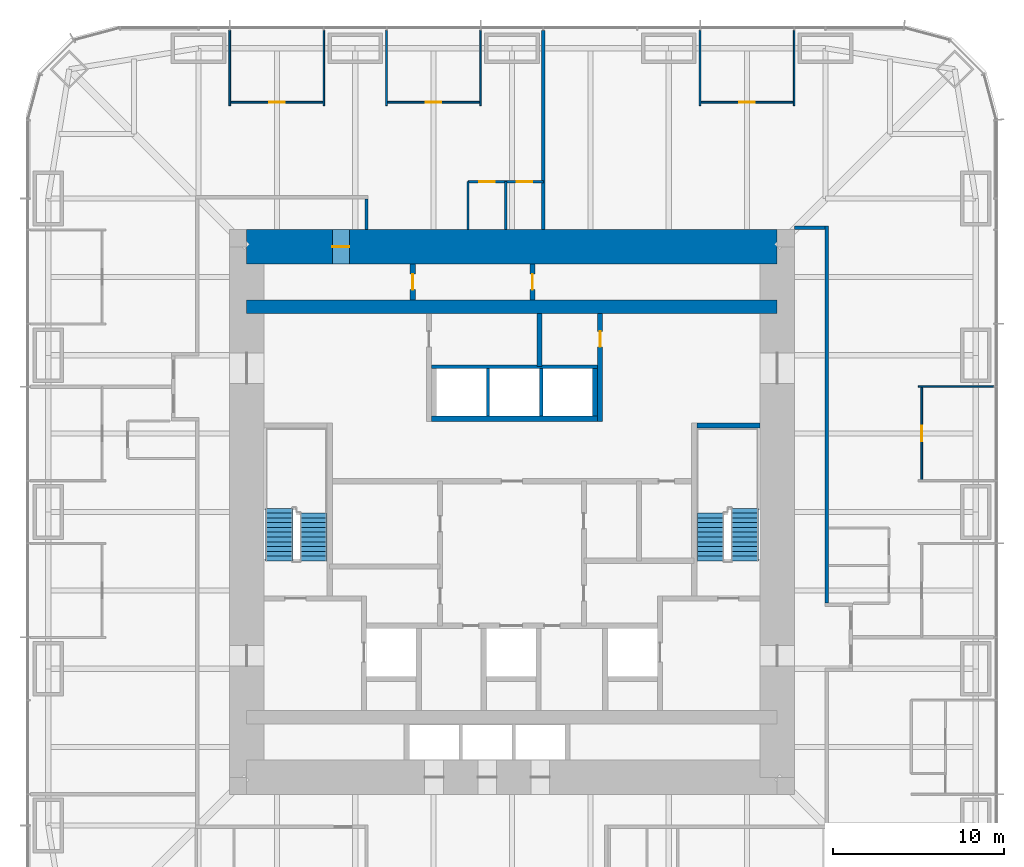
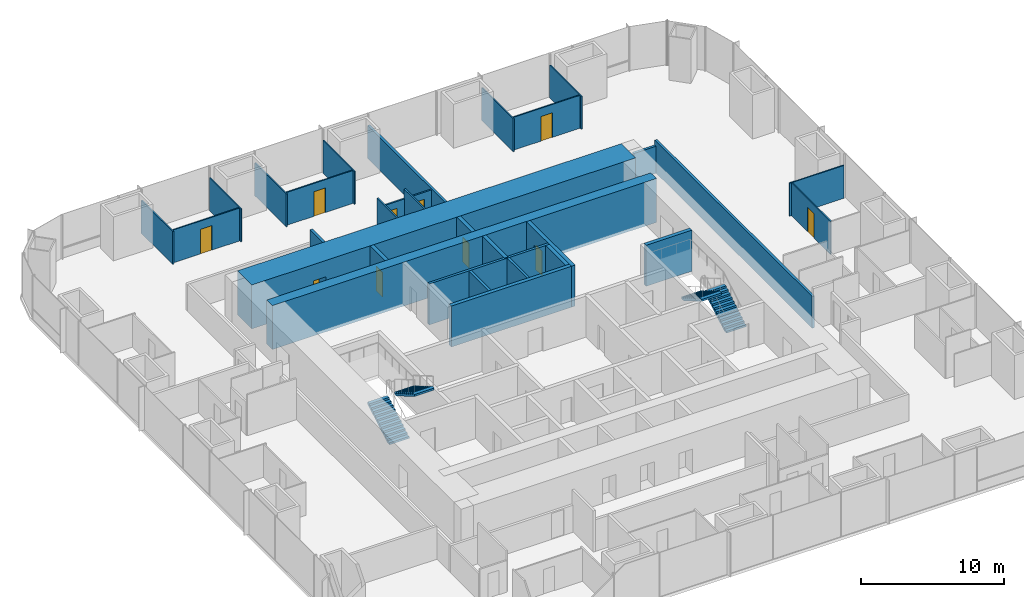
# One storey, part 10 of 11: 30 walls, 10 doors, 4 stair flights, 10 openings, 2 elements without a shape of their own.
"""IFC4 building model written with IfcOpenShell, lengths in metres."""

import ifcopenshell
import ifcopenshell.guid

model = None  # the IFC model being written
_history = None  # IfcOwnerHistory: only IFC2X3 demands one
_inside = {}  # id of a spatial element -> (the spatial element, [elements in it])
_under = {}  # id of a project, library or spatial element -> (it, [spatial elements below it])
_declared = {}  # id of a project -> (the project, [libraries it declares])
_typed = {}  # id of a type object -> (the type object, [elements of that type])
_made_of = {}  # id of a material, layer set ... -> (it, [elements and type objects made of it])


def new_model(schema):
    """Start an empty IFC model of exactly this schema.

    Asked for "IFC4X3", IfcOpenShell would pick the latest addendum, in which some entities
    have other attributes; the version numbers below select the first issue.
    IFC2X3 requires an IfcOwnerHistory on every rooted entity: one is made here for all.
    """
    global model, _history
    if schema == "IFC4X3":
        model = ifcopenshell.file(schema_version=(4, 3, 0, 0))
    else:
        model = ifcopenshell.file(schema=schema)
    _inside.clear()
    _under.clear()
    _declared.clear()
    _typed.clear()
    _made_of.clear()
    _history = None
    if model.schema == "IFC2X3":
        org = make("IfcOrganization", Name="unknown")
        user = make(
            "IfcPersonAndOrganization",
            ThePerson=make("IfcPerson", FamilyName="unknown"),
            TheOrganization=org,
        )
        app = make(
            "IfcApplication",
            ApplicationDeveloper=org,
            Version="unknown",
            ApplicationFullName="unknown",
            ApplicationIdentifier="unknown",
        )
        _history = make(
            "IfcOwnerHistory",
            OwningUser=user,
            OwningApplication=app,
            ChangeAction="ADDED",
            CreationDate=0,
        )
    return model


def make(cls, **values):
    """One entity of the class cls with the attributes given. An attribute that is None is left unset."""
    return model.create_entity(
        cls, **{name: value for name, value in values.items() if value is not None}
    )


def rooted(cls, **values):
    """An entity with a GlobalId (a new one), such as an element, a storey or a relation."""
    return make(cls, GlobalId=ifcopenshell.guid.new(), OwnerHistory=_history, **values)


def si_unit(unit_type, name, prefix=None):
    """IfcSIUnit, for example si_unit("LENGTHUNIT", "METRE", prefix="MILLI")."""
    return make("IfcSIUnit", UnitType=unit_type, Prefix=prefix, Name=name)


def assignment(units):
    """IfcUnitAssignment: the units of a project."""
    return None if units is None else make("IfcUnitAssignment", Units=units)


def point(xyz):
    """IfcCartesianPoint."""
    return None if xyz is None else make("IfcCartesianPoint", Coordinates=xyz)


def direction(xyz):
    """IfcDirection."""
    return None if xyz is None else make("IfcDirection", DirectionRatios=xyz)


def frame(location, z_axis=None, x_axis=None):
    """IfcAxis2Placement3D, a coordinate frame: its origin and axes. An axis left out is left unset."""
    return make(
        "IfcAxis2Placement3D",
        Location=point(location),
        Axis=direction(z_axis),
        RefDirection=direction(x_axis),
    )


def frame_2d(location, x_axis=None):
    """IfcAxis2Placement2D, a coordinate frame in the plane: its origin and x axis."""
    return make(
        "IfcAxis2Placement2D", Location=point(location), RefDirection=direction(x_axis)
    )


def origin():
    """The frame at (0, 0, 0) with its axes left unset."""
    return frame((0.0, 0.0, 0.0))


def place(relative_to, where):
    """IfcLocalPlacement: puts the frame where relative to a parent placement (None: the world)."""
    return make(
        "IfcLocalPlacement", PlacementRelTo=relative_to, RelativePlacement=where
    )


def context(
    kind, dimensions, precision=None, world=None, true_north=None, identifier=None
):
    """IfcGeometricRepresentationContext, for example the 3D "Model" context."""
    return make(
        "IfcGeometricRepresentationContext",
        ContextIdentifier=identifier,
        ContextType=kind,
        CoordinateSpaceDimension=dimensions,
        Precision=precision,
        WorldCoordinateSystem=world,
        TrueNorth=true_north,
    )


def subcontext(parent, identifier, kind, view, scale=None):
    """IfcGeometricRepresentationSubContext, for example "Body" below "Model"."""
    return make(
        "IfcGeometricRepresentationSubContext",
        ContextIdentifier=identifier,
        ContextType=kind,
        ParentContext=parent,
        TargetScale=scale,
        TargetView=view,
    )


def project(units=None, contexts=None):
    """IfcProject with its units and contexts."""
    return rooted(
        "IfcProject",
        Name="project",
        RepresentationContexts=contexts,
        UnitsInContext=assignment(units),
    )


def spatial(cls, under=None, at=None, **own):
    """A site, building, storey or space (cls), placed at a placement, below another one or the project."""
    s = rooted(cls, ObjectPlacement=at, **own)
    if under is not None:
        _under.setdefault(under.id(), (under, []))[1].append(s)
    return s


def polyline(points):
    """IfcPolyline through the points."""
    return make("IfcPolyline", Points=[point(p) for p in points])


def profile(cls, at=None, kind="AREA", **sizes):
    """A parametric profile (cls). Its sizes go by their IFC names, for example OverallWidth=200.0."""
    return make(cls, ProfileType=kind, Position=at, **sizes)


def rectangle(**sizes):
    """IfcRectangleProfileDef."""
    return profile("IfcRectangleProfileDef", **sizes)


def outline(outer, holes=None, kind="AREA"):
    """IfcArbitraryClosedProfileDef: a profile drawn as a closed curve; with holes, ...WithVoids."""
    if holes is None:
        return make("IfcArbitraryClosedProfileDef", ProfileType=kind, OuterCurve=outer)
    return make(
        "IfcArbitraryProfileDefWithVoids",
        ProfileType=kind,
        OuterCurve=outer,
        InnerCurves=holes,
    )


def extrude(swept, where, along, depth):
    """IfcExtrudedAreaSolid: the profile swept, set in the frame where, extruded along a direction by depth."""
    return make(
        "IfcExtrudedAreaSolid",
        SweptArea=swept,
        Position=where,
        ExtrudedDirection=direction(along),
        Depth=depth,
    )


def shape(context_of_items, identifier, shape_type, items):
    """IfcShapeRepresentation: the items that make up one representation, for example the "Body"."""
    return make(
        "IfcShapeRepresentation",
        ContextOfItems=context_of_items,
        RepresentationIdentifier=identifier,
        RepresentationType=shape_type,
        Items=items,
    )


def material(Name=None, Category=None):
    """IfcMaterial."""
    return make("IfcMaterial", Name=Name, Category=Category)


def layer(
    of_material, thickness, ventilated=None, Name=None, Category=None, Priority=None
):
    """IfcMaterialLayer: one layer of a wall or slab, of a material (None: an air gap)."""
    return make(
        "IfcMaterialLayer",
        Material=of_material,
        LayerThickness=thickness,
        IsVentilated=ventilated,
        Name=Name,
        Category=Category,
        Priority=Priority,
    )


def layer_set(layers, Name=None):
    """IfcMaterialLayerSet."""
    return make("IfcMaterialLayerSet", MaterialLayers=layers, LayerSetName=Name)


def made_of(thing, what):
    """Note that an element or type object is made of a material, layer set ...; save() writes the relation."""
    if what is not None:
        _made_of.setdefault(what.id(), (what, []))[1].append(thing)
    return thing


def type_object(cls, material=None, **own):
    """A type object (cls), such as IfcWallType, which elements share."""
    return made_of(rooted(cls, **own), material)


def element(
    cls,
    number,
    at=None,
    inside=None,
    cuts=None,
    type_object=None,
    material=None,
    context=None,
    identifier="Body",
    shape_type=None,
    held_by="IfcProductDefinitionShape",
    body=None,
    shapes=None,
    **own,
):
    """One element of the class cls, such as IfcWall. Its Tag is "e" and its number.

    at: its placement. inside: the storey or other place that contains it. cuts: it is an
    opening in that element (IfcRelVoidsElement). A single representation is given by context,
    identifier, shape_type and body (its items); several are given by shapes. held_by: the class
    of the entity that holds the representations. save() writes the other relations.
    """
    e = rooted(cls, Tag="e%d" % number, ObjectPlacement=at, **own)
    if body is not None:
        shapes = [shape(context, identifier, shape_type, body)]
    if shapes is not None:
        e.Representation = make(held_by, Representations=shapes)
    if inside is not None:
        _inside.setdefault(inside.id(), (inside, []))[1].append(e)
    if cuts is not None:
        rooted(
            "IfcRelVoidsElement", RelatingBuildingElement=cuts, RelatedOpeningElement=e
        )
    if type_object is not None:
        _typed.setdefault(type_object.id(), (type_object, []))[1].append(e)
    return made_of(e, material)


def fill(opening, filler):
    """IfcRelFillsElement: the door or window that sits in an opening."""
    return rooted(
        "IfcRelFillsElement",
        RelatingOpeningElement=opening,
        RelatedBuildingElement=filler,
    )


def aggregate(whole, parts):
    """IfcRelAggregates: a whole, such as a stair, and the parts it consists of."""
    return rooted("IfcRelAggregates", RelatingObject=whole, RelatedObjects=parts)


def save(model, path):
    """Write the relations noted so far, then the file.

    IfcRelAggregates (storeys below a building ...), IfcRelContainedInSpatialStructure (elements
    in a storey), IfcRelDefinesByType, IfcRelAssociatesMaterial and IfcRelDeclares: one each for
    every whole, place, type object, material and project.
    """
    for whole, parts in _under.values():
        aggregate(whole, parts)
    for where, things in _inside.values():
        rooted(
            "IfcRelContainedInSpatialStructure",
            RelatedElements=things,
            RelatingStructure=where,
        )
    for kind, things in _typed.values():
        rooted("IfcRelDefinesByType", RelatedObjects=things, RelatingType=kind)
    for what, things in _made_of.values():
        rooted("IfcRelAssociatesMaterial", RelatedObjects=things, RelatingMaterial=what)
    for by, libraries in _declared.values():
        rooted("IfcRelDeclares", RelatingContext=by, RelatedDefinitions=libraries)
    model.write(path)


model = new_model("IFC4")

# Units and contexts
model_context = context("Model", 3, precision=1e-05, world=origin(), true_north=direction((0.0, 1.0)))
body_context = subcontext(model_context, "Body", "Model", "MODEL_VIEW")
ifc_project = project(units=[si_unit("LENGTHUNIT", "METRE"), si_unit("AREAUNIT", "SQUARE_METRE"), si_unit("VOLUMEUNIT", "CUBIC_METRE"), si_unit("PLANEANGLEUNIT", "RADIAN"), si_unit("MASSUNIT", "GRAM", prefix="KILO")], contexts=[model_context])

# Site, building, storey
site_placement = place(None, origin())
site = spatial("IfcSite", under=ifc_project, at=site_placement, CompositionType="ELEMENT")
building_placement = place(site_placement, origin())
building = spatial("IfcBuilding", under=site, at=building_placement, Name="Khuree Lantern Residences", CompositionType="ELEMENT")
storey_placement = place(building_placement, frame((0.0, 0.0, 171.0)))
storey = spatial("IfcBuildingStorey", under=building, at=storey_placement, Name="L43", CompositionType="ELEMENT", Elevation=171.0)

# Wall, openings, doors
ifc_material_1 = material(Name="Moisture-resistant gypsum board on steel studs", Category="steel")
ifc_layer_1 = layer(ifc_material_1, 0.125)
ifc_layer_set_1 = layer_set([ifc_layer_1], Name="BATHROOM WALL BTW125")
wall_type_1 = type_object("IfcWallType", Name="BATHROOM WALL BTW125", PredefinedType="PARTITIONING", material=ifc_layer_set_1)
wall_1_placement = place(storey_placement, frame((1.83203125, 19.300048828125, 0.0), z_axis=(0.0, 0.0, 1.0), x_axis=(-1.0, 0.0, 0.0)))
wall_1 = element("IfcWall", 1, at=wall_1_placement, inside=storey, type_object=wall_type_1, Name="L43 BATHROOM WALL 02", PredefinedType="PARTITIONING", context=body_context, shape_type="SweptSolid", body=[
    extrude(rectangle(XDim=4.400146484375, YDim=0.125, at=frame_2d((2.2001953125, 0.0))), origin(), (0.0, 0.0, 1.0), 2.699951171875),
])
opening_1_placement = place(wall_1_placement, frame((0.64990234375, 0.0, 0.0)))
opening_1 = element("IfcOpeningElement", 2, at=opening_1_placement, cuts=wall_1, Name="Opening 43-035", PredefinedType="OPENING", context=body_context, shape_type="SweptSolid", body=[
    extrude(rectangle(XDim=0.89990234375, YDim=2.10009765625, at=frame_2d((0.449951171875, 1.050048828125))), frame((0.0, 0.072509765625, 0.0), z_axis=(0.0, -1.0, 0.0), x_axis=(1.0, 0.0, 0.0)), (0.0, 0.0, 1.0), 0.14501953125),
])
opening_2_placement = place(wall_1_placement, frame((2.85009765625, 0.0, 0.0)))
opening_2 = element("IfcOpeningElement", 3, at=opening_2_placement, cuts=wall_1, Name="Opening 43-036", PredefinedType="OPENING", context=body_context, shape_type="SweptSolid", body=[
    extrude(rectangle(XDim=0.89990234375, YDim=2.10009765625, at=frame_2d((0.449951171875, 1.050048828125))), frame((0.0, 0.072509765625, 0.0), z_axis=(0.0, -1.0, 0.0), x_axis=(1.0, 0.0, 0.0)), (0.0, 0.0, 1.0), 0.14501953125),
])
ifc_material_2 = material(Name="Timber door leaf in hardwood frame", Category="wood")
door_type_1 = type_object("IfcDoorType", Name="BATHROOM DOOR 900X2100", OperationType="SINGLE_SWING_LEFT", PredefinedType="DOOR", material=ifc_material_2)
door_1_placement = place(opening_1_placement, origin())
door_1 = element("IfcDoor", 4, at=door_1_placement, inside=storey, type_object=door_type_1, Name="Bathroom door 43-035", OperationType="SINGLE_SWING_LEFT", OverallHeight=2.10009765625, OverallWidth=0.89990234375, PredefinedType="DOOR", context=body_context, shape_type="SweptSolid", body=[
    extrude(rectangle(XDim=0.89990234375, YDim=2.10009765625, at=frame_2d((0.449951171875, 1.050048828125))), frame((0.0, 0.02490234375, 0.0), z_axis=(0.0, -1.0, 0.0), x_axis=(1.0, 0.0, 0.0)), (0.0, 0.0, 1.0), 0.050048828125),
])
fill(opening_1, door_1)
door_2_placement = place(opening_2_placement, origin())
door_2 = element("IfcDoor", 5, at=door_2_placement, inside=storey, type_object=door_type_1, Name="Bathroom door 43-036", OperationType="SINGLE_SWING_LEFT", OverallHeight=2.10009765625, OverallWidth=0.89990234375, PredefinedType="DOOR", context=body_context, shape_type="SweptSolid", body=[
    extrude(rectangle(XDim=0.89990234375, YDim=2.10009765625, at=frame_2d((0.449951171875, 1.050048828125))), frame((0.0, 0.02490234375, 0.0), z_axis=(0.0, -1.0, 0.0), x_axis=(1.0, 0.0, 0.0)), (0.0, 0.0, 1.0), 0.050048828125),
])
fill(opening_2, door_2)

# Walls
for number, where, z_axis, x_axis, name in (
    (6, (-0.367919921875, 16.5, 0.0), (0.0, 0.0, 1.0), (0.0, 1.0, 0.0), "L43 BATHROOM WALL 02"),
    (7, (-2.568115234375, 16.5, 0.0), (0.0, 0.0, 1.0), (0.0, 1.0, 0.0), "L43 BATHROOM WALL 02"),
):
    element("IfcWall", number, at=place(storey_placement, frame(where, z_axis=z_axis, x_axis=x_axis)), inside=storey, type_object=wall_type_1, Name=name, PredefinedType="PARTITIONING", context=body_context, shape_type="SweptSolid", body=[
        extrude(rectangle(XDim=2.800048828125, YDim=0.125, at=frame_2d((1.39990234375, 0.0))), origin(), (0.0, 0.0, 1.0), 3.5),
    ])
ifc_material_3 = material(Name="Dense concrete blockwork", Category="masonry")
ifc_layer_2 = layer(ifc_material_3, 0.300048828125)
ifc_layer_set_2 = layer_set([ifc_layer_2], Name="CORE PARTITION WALL CPW300 EI 120")
wall_type_2 = type_object("IfcWallType", Name="CORE PARTITION WALL CPW300 EI 120", PredefinedType="PARTITIONING", material=ifc_layer_set_2)
wall_2_placement = place(storey_placement, frame((-4.699951171875, 5.449951171875, 0.0), z_axis=(0.0, 0.0, 1.0), x_axis=(1.0, 0.0, 0.0)))
element("IfcWall", 8, at=wall_2_placement, inside=storey, type_object=wall_type_2, Name="L43 CORE WALL PHS", PredefinedType="PARTITIONING", context=body_context, shape_type="SweptSolid", body=[
    extrude(rectangle(XDim=9.699951171875, YDim=0.300048828125, at=frame_2d((4.85009765625, 0.0))), origin(), (0.0, 0.0, 1.0), 3.5),
])
wall_3_placement = place(storey_placement, frame((4.85009765625, 5.60009765625, 0.0), z_axis=(0.0, 0.0, 1.0), x_axis=(0.0, 1.0, 0.0)))
element("IfcWall", 9, at=wall_3_placement, inside=storey, type_object=wall_type_2, Name="L43 CORE WALL PHE", PredefinedType="PARTITIONING", context=body_context, shape_type="SweptSolid", body=[
    extrude(rectangle(XDim=2.7998046875, YDim=0.300048828125, at=frame_2d((1.39990234375, 0.0))), origin(), (0.0, 0.0, 1.0), 3.5),
])

# Wall, opening, door
wall_4_placement = place(storey_placement, frame((5.14990234375, 5.300048828125, 0.0), z_axis=(0.0, 0.0, 1.0), x_axis=(0.0, 1.0, 0.0)))
wall_4 = element("IfcWall", 10, at=wall_4_placement, inside=storey, type_object=wall_type_2, Name="L43 CORE WALL NE", PredefinedType="PARTITIONING", context=body_context, shape_type="SweptSolid", body=[
    extrude(rectangle(XDim=6.300048828125, YDim=0.300048828125, at=frame_2d((3.14990234375, 0.0))), origin(), (0.0, 0.0, 1.0), 3.5),
])
opening_3_placement = place(wall_4_placement, frame((4.35009765625, 0.0, 0.0)))
opening_3 = element("IfcOpeningElement", 11, at=opening_3_placement, cuts=wall_4, Name="Opening 43-022", PredefinedType="OPENING", context=body_context, shape_type="SweptSolid", body=[
    extrude(rectangle(XDim=0.89990234375, YDim=2.10009765625, at=frame_2d((0.449951171875, 1.050048828125))), frame((0.0, 0.16015625, 0.0), z_axis=(0.0, -1.0, 0.0), x_axis=(1.0, 0.0, 0.0)), (0.0, 0.0, 1.0), 0.320068359375),
])
door_type_2 = type_object("IfcDoorType", Name="DOOR 900X2100", OperationType="SINGLE_SWING_LEFT", PredefinedType="DOOR", material=ifc_material_2)
door_3_placement = place(opening_3_placement, origin())
door_3 = element("IfcDoor", 12, at=door_3_placement, inside=storey, type_object=door_type_2, Name="IT room door 43-022", OperationType="SINGLE_SWING_LEFT", OverallHeight=2.10009765625, OverallWidth=0.89990234375, PredefinedType="DOOR", context=body_context, shape_type="SweptSolid", body=[
    extrude(rectangle(XDim=0.89990234375, YDim=2.10009765625, at=frame_2d((0.449951171875, 1.050048828125))), frame((0.0, 0.02490234375, 0.0), z_axis=(0.0, -1.0, 0.0), x_axis=(1.0, 0.0, 0.0)), (0.0, 0.0, 1.0), 0.050048828125),
])
fill(opening_3, door_3)

# Wall
wall_5_placement = place(storey_placement, frame((1.60009765625, 8.5, 0.0), z_axis=(0.0, 0.0, 1.0), x_axis=(0.0, 1.0, 0.0)))
element("IfcWall", 13, at=wall_5_placement, inside=storey, type_object=wall_type_2, Name="L43 CORE WALL NX", PredefinedType="PARTITIONING", context=body_context, shape_type="SweptSolid", body=[
    extrude(rectangle(XDim=3.10009765625, YDim=0.300048828125, at=frame_2d((1.550048828125, 0.0))), origin(), (0.0, 0.0, 1.0), 3.5),
])

# Wall, opening, door
wall_6_placement = place(storey_placement, frame((-5.800048828125, 12.39990234375, 0.0), z_axis=(0.0, 0.0, 1.0), x_axis=(0.0, 1.0, 0.0)))
wall_6 = element("IfcWall", 14, at=wall_6_placement, inside=storey, type_object=wall_type_2, Name="L43 CORE WALL PLX", PredefinedType="PARTITIONING", context=body_context, shape_type="SweptSolid", body=[
    extrude(rectangle(XDim=2.10009765625, YDim=0.300048828125, at=frame_2d((1.050048828125, 0.0))), origin(), (0.0, 0.0, 1.0), 3.5),
])
opening_4_placement = place(wall_6_placement, frame((0.60009765625, 0.0, 0.0)))
opening_4 = element("IfcOpeningElement", 15, at=opening_4_placement, cuts=wall_6, Name="Opening 43-023", PredefinedType="OPENING", context=body_context, shape_type="SweptSolid", body=[
    extrude(rectangle(XDim=0.89990234375, YDim=2.10009765625, at=frame_2d((0.449951171875, 1.050048828125))), frame((0.0, 0.16015625, 0.0), z_axis=(0.0, -1.0, 0.0), x_axis=(1.0, 0.0, 0.0)), (0.0, 0.0, 1.0), 0.320068359375),
])
door_4_placement = place(opening_4_placement, origin())
door_4 = element("IfcDoor", 16, at=door_4_placement, inside=storey, type_object=door_type_2, Name="Spares store door 43-023", OperationType="SINGLE_SWING_LEFT", OverallHeight=2.10009765625, OverallWidth=0.89990234375, PredefinedType="DOOR", context=body_context, shape_type="SweptSolid", body=[
    extrude(rectangle(XDim=0.89990234375, YDim=2.10009765625, at=frame_2d((0.449951171875, 1.050048828125))), frame((0.0, 0.02490234375, 0.0), z_axis=(0.0, -1.0, 0.0), x_axis=(1.0, 0.0, 0.0)), (0.0, 0.0, 1.0), 0.050048828125),
])
fill(opening_4, door_4)

wall_7_placement = place(storey_placement, frame((1.199951171875, 12.39990234375, 0.0), z_axis=(0.0, 0.0, 1.0), x_axis=(0.0, 1.0, 0.0)))
wall_7 = element("IfcWall", 17, at=wall_7_placement, inside=storey, type_object=wall_type_2, Name="L43 CORE WALL PLY", PredefinedType="PARTITIONING", context=body_context, shape_type="SweptSolid", body=[
    extrude(rectangle(XDim=2.10009765625, YDim=0.300048828125, at=frame_2d((1.050048828125, 0.0))), origin(), (0.0, 0.0, 1.0), 3.5),
])
opening_5_placement = place(wall_7_placement, frame((0.60009765625, 0.0, 0.0)))
opening_5 = element("IfcOpeningElement", 18, at=opening_5_placement, cuts=wall_7, Name="Opening 43-024", PredefinedType="OPENING", context=body_context, shape_type="SweptSolid", body=[
    extrude(rectangle(XDim=0.89990234375, YDim=2.10009765625, at=frame_2d((0.449951171875, 1.050048828125))), frame((0.0, 0.16015625, 0.0), z_axis=(0.0, -1.0, 0.0), x_axis=(1.0, 0.0, 0.0)), (0.0, 0.0, 1.0), 0.320068359375),
])
door_5_placement = place(opening_5_placement, origin())
door_5 = element("IfcDoor", 19, at=door_5_placement, inside=storey, type_object=door_type_2, Name="Housekeeping store door 43-024", OperationType="SINGLE_SWING_LEFT", OverallHeight=2.10009765625, OverallWidth=0.89990234375, PredefinedType="DOOR", context=body_context, shape_type="SweptSolid", body=[
    extrude(rectangle(XDim=0.89990234375, YDim=2.10009765625, at=frame_2d((0.449951171875, 1.050048828125))), frame((0.0, 0.02490234375, 0.0), z_axis=(0.0, -1.0, 0.0), x_axis=(1.0, 0.0, 0.0)), (0.0, 0.0, 1.0), 0.050048828125),
])
fill(opening_5, door_5)

# Walls
ifc_material_4 = material(Name="Gypsum board on steel studs", Category="steel")
ifc_layer_3 = layer(ifc_material_4, 0.199951171875)
ifc_layer_set_3 = layer_set([ifc_layer_3], Name="CORRIDOR WALL CRW200 EI 60")
wall_type_3 = type_object("IfcWallType", Name="CORRIDOR WALL CRW200 EI 60", PredefinedType="PARTITIONING", material=ifc_layer_set_3)
wall_8_placement = place(storey_placement, frame((16.5, 16.60009765625, 0.0), z_axis=(0.0, 0.0, 1.0), x_axis=(1.0, 0.0, 0.0)))
element("IfcWall", 20, at=wall_8_placement, inside=storey, type_object=wall_type_3, Name="L43 EAST CORRIDOR NORTH END WALL", PredefinedType="PARTITIONING", context=body_context, shape_type="SweptSolid", body=[
    extrude(rectangle(XDim=1.800048828125, YDim=0.199951171875, at=frame_2d((0.89990234375, 0.0))), origin(), (0.0, 0.0, 1.0), 2.300048828125),
])
wall_9_placement = place(storey_placement, frame((-8.5, 18.300048828125, 0.0), z_axis=(0.0, 0.0, 1.0), x_axis=(0.0, -1.0, 0.0)))
element("IfcWall", 21, at=wall_9_placement, inside=storey, type_object=wall_type_3, Name="L43 NORTH CORRIDOR END WALL", PredefinedType="PARTITIONING", context=body_context, shape_type="SweptSolid", body=[
    extrude(rectangle(XDim=1.800048828125, YDim=0.199951171875, at=frame_2d((0.89990234375, 0.0))), origin(), (0.0, 0.0, 1.0), 3.5),
])
wall_10_placement = place(storey_placement, frame((18.39990234375, -5.327880859375, 0.0), z_axis=(0.0, 0.0, 1.0), x_axis=(0.0, 1.0, 0.0)))
element("IfcWall", 22, at=wall_10_placement, inside=storey, type_object=wall_type_3, Name="L43 CORRIDOR WALL EAST 2", PredefinedType="PARTITIONING", context=body_context, shape_type="SweptSolid", body=[
    extrude(rectangle(XDim=22.02783203125, YDim=0.199951171875, at=frame_2d((11.013916015625, 0.0))), origin(), (0.0, 0.0, 1.0), 2.699951171875),
])

# Wall, opening, door
ifc_material_5 = material(Name="Concrete C70/85", Category="concrete")
ifc_layer_4 = layer(ifc_material_5, 2.0)
ifc_layer_set_4 = layer_set([ifc_layer_4], Name="CW2000-C70 CORE WALL C70 2000")
wall_type_4 = type_object("IfcWallType", Name="CW2000-C70 CORE WALL C70 2000", PredefinedType="SHEAR", material=ifc_layer_set_4)
wall_11_placement = place(storey_placement, frame((-15.5, 15.5, -0.25), z_axis=(0.0, 0.0, 1.0), x_axis=(1.0, 0.0, 0.0)))
wall_11 = element("IfcWall", 23, at=wall_11_placement, inside=storey, type_object=wall_type_4, Name="Core wall N", PredefinedType="SHEAR", context=body_context, shape_type="SweptSolid", body=[
    extrude(rectangle(XDim=31.0, YDim=2.0, at=frame_2d((15.5, 0.0))), origin(), (0.0, 0.0, 1.0), 3.75),
])
opening_6_placement = place(wall_11_placement, frame((5.0, 0.0, 0.25)))
opening_6 = element("IfcOpeningElement", 24, at=opening_6_placement, cuts=wall_11, Name="Opening 43-025", PredefinedType="OPENING", context=body_context, shape_type="SweptSolid", body=[
    extrude(rectangle(XDim=1.0, YDim=2.10009765625, at=frame_2d((0.5, 1.050048828125))), frame((0.0, 1.010009765625, 0.0), z_axis=(0.0, -1.0, 0.0), x_axis=(1.0, 0.0, 0.0)), (0.0, 0.0, 1.0), 2.02001953125),
])
ifc_material_6 = material(Name="Steel door leaf in steel frame", Category="steel")
door_type_3 = type_object("IfcDoorType", Name="DOOR 1000X2100 EI 60 RIGHT HAND", OperationType="SINGLE_SWING_RIGHT", PredefinedType="DOOR", material=ifc_material_6)
door_6_placement = place(opening_6_placement, origin())
door_6 = element("IfcDoor", 25, at=door_6_placement, inside=storey, type_object=door_type_3, Name="Residents' store door 43-025", OperationType="SINGLE_SWING_RIGHT", OverallHeight=2.10009765625, OverallWidth=1.0, PredefinedType="DOOR", context=body_context, shape_type="SweptSolid", body=[
    extrude(rectangle(XDim=1.0, YDim=2.10009765625, at=frame_2d((0.5, 1.050048828125))), frame((0.0, 0.02490234375, 0.0), z_axis=(0.0, -1.0, 0.0), x_axis=(1.0, 0.0, 0.0)), (0.0, 0.0, 1.0), 0.050048828125),
])
fill(opening_6, door_6)

# Walls
ifc_layer_5 = layer(ifc_material_4, 0.199951171875)
ifc_layer_set_5 = layer_set([ifc_layer_5], Name="DEMISING WALL DMW200 EI 90")
wall_type_5 = type_object("IfcWallType", Name="DEMISING WALL DMW200 EI 90", PredefinedType="PARTITIONING", material=ifc_layer_set_5)
wall_12_placement = place(storey_placement, frame((1.83203125, 16.5, 0.0), z_axis=(0.0, 0.0, 1.0), x_axis=(0.0, 1.0, 0.0)))
element("IfcWall", 26, at=wall_12_placement, inside=storey, type_object=wall_type_5, Name="L43 DEMISING WALL 02", PredefinedType="PARTITIONING", context=body_context, shape_type="SweptSolid", body=[
    extrude(rectangle(XDim=11.64990234375, YDim=0.199951171875, at=frame_2d((5.824951171875, 0.0))), origin(), (0.0, 0.0, 1.0), 2.81005859375),
])
ifc_layer_6 = layer(ifc_material_4, 0.10009765625)
ifc_layer_set_6 = layer_set([ifc_layer_6], Name="PARTITION PT100")
wall_type_6 = type_object("IfcWallType", Name="PARTITION PT100", PredefinedType="PARTITIONING", material=ifc_layer_set_6)
for number, where, z_axis, x_axis, name in (
    (27, (23.75, 7.327880859375, 0.0), (0.0, 0.0, 1.0), (1.0, 0.0, 0.0), "L43 PARTITION 01"),
    (28, (16.488037109375, 23.75, 0.0), (0.0, 0.0, 1.0), (0.0, 1.0, 0.0), "L43 PARTITION 01"),
    (29, (10.991943359375, 23.75, 0.0), (0.0, 0.0, 1.0), (0.0, 1.0, 0.0), "L43 PARTITION 01"),
    (30, (-1.83203125, 23.75, 0.0), (0.0, 0.0, 1.0), (0.0, 1.0, 0.0), "L43 PARTITION 02"),
    (31, (-7.327880859375, 23.75, 0.0), (0.0, 0.0, 1.0), (0.0, 1.0, 0.0), "L43 PARTITION 02"),
    (32, (-10.991943359375, 23.75, 0.0), (0.0, 0.0, 1.0), (0.0, 1.0, 0.0), "L43 PARTITION 02"),
    (33, (-16.488037109375, 23.75, 0.0), (0.0, 0.0, 1.0), (0.0, 1.0, 0.0), "L43 PARTITION 02"),
):
    element("IfcWall", number, at=place(storey_placement, frame(where, z_axis=z_axis, x_axis=x_axis)), inside=storey, type_object=wall_type_6, Name=name, PredefinedType="PARTITIONING", context=body_context, shape_type="SweptSolid", body=[
        extrude(rectangle(XDim=4.39990234375, YDim=0.10009765625, at=frame_2d((2.199951171875, 0.0))), origin(), (0.0, 0.0, 1.0), 2.81005859375),
    ])

# Wall, opening, door
wall_13_placement = place(storey_placement, frame((23.949951171875, 1.83203125, 0.0), z_axis=(0.0, 0.0, 1.0), x_axis=(0.0, 1.0, 0.0)))
wall_13 = element("IfcWall", 34, at=wall_13_placement, inside=storey, type_object=wall_type_6, Name="L43 PARTITION 01", PredefinedType="PARTITIONING", context=body_context, shape_type="SweptSolid", body=[
    extrude(rectangle(XDim=5.495849609375, YDim=0.10009765625, at=frame_2d((2.748046875, 0.0))), origin(), (0.0, 0.0, 1.0), 2.81005859375),
])
opening_7_placement = place(wall_13_placement, frame((2.298095703125, 0.0, 0.0)))
opening_7 = element("IfcOpeningElement", 35, at=opening_7_placement, cuts=wall_13, Name="Opening 43-027", PredefinedType="OPENING", context=body_context, shape_type="SweptSolid", body=[
    extrude(rectangle(XDim=0.89990234375, YDim=2.10009765625, at=frame_2d((0.449951171875, 1.050048828125))), frame((0.0, 0.06005859375, 0.0), z_axis=(0.0, -1.0, 0.0), x_axis=(1.0, 0.0, 0.0)), (0.0, 0.0, 1.0), 0.1201171875),
])
door_type_4 = type_object("IfcDoorType", Name="BEDROOM DOOR 900X2100", OperationType="SINGLE_SWING_LEFT", PredefinedType="DOOR", material=ifc_material_2)
door_7_placement = place(opening_7_placement, origin())
door_7 = element("IfcDoor", 36, at=door_7_placement, inside=storey, type_object=door_type_4, Name="Bedroom door 43-027", OperationType="SINGLE_SWING_LEFT", OverallHeight=2.10009765625, OverallWidth=0.89990234375, PredefinedType="DOOR", context=body_context, shape_type="SweptSolid", body=[
    extrude(rectangle(XDim=0.89990234375, YDim=2.10009765625, at=frame_2d((0.449951171875, 1.050048828125))), frame((0.0, 0.02490234375, 0.0), z_axis=(0.0, -1.0, 0.0), x_axis=(1.0, 0.0, 0.0)), (0.0, 0.0, 1.0), 0.050048828125),
])
fill(opening_7, door_7)

wall_14_placement = place(storey_placement, frame((16.488037109375, 23.949951171875, 0.0), z_axis=(0.0, 0.0, 1.0), x_axis=(-1.0, 0.0, 0.0)))
wall_14 = element("IfcWall", 37, at=wall_14_placement, inside=storey, type_object=wall_type_6, Name="L43 PARTITION 01", PredefinedType="PARTITIONING", context=body_context, shape_type="SweptSolid", body=[
    extrude(rectangle(XDim=5.49609375, YDim=0.10009765625, at=frame_2d((2.748046875, 0.0))), origin(), (0.0, 0.0, 1.0), 2.81005859375),
])
opening_8_placement = place(wall_14_placement, frame((2.298095703125, 0.0, 0.0)))
opening_8 = element("IfcOpeningElement", 38, at=opening_8_placement, cuts=wall_14, Name="Opening 43-028", PredefinedType="OPENING", context=body_context, shape_type="SweptSolid", body=[
    extrude(rectangle(XDim=0.89990234375, YDim=2.10009765625, at=frame_2d((0.449951171875, 1.050048828125))), frame((0.0, 0.06005859375, 0.0), z_axis=(0.0, -1.0, 0.0), x_axis=(1.0, 0.0, 0.0)), (0.0, 0.0, 1.0), 0.1201171875),
])
door_8_placement = place(opening_8_placement, origin())
door_8 = element("IfcDoor", 39, at=door_8_placement, inside=storey, type_object=door_type_4, Name="Bedroom door 43-028", OperationType="SINGLE_SWING_LEFT", OverallHeight=2.10009765625, OverallWidth=0.89990234375, PredefinedType="DOOR", context=body_context, shape_type="SweptSolid", body=[
    extrude(rectangle(XDim=0.89990234375, YDim=2.10009765625, at=frame_2d((0.449951171875, 1.050048828125))), frame((0.0, 0.02490234375, 0.0), z_axis=(0.0, -1.0, 0.0), x_axis=(1.0, 0.0, 0.0)), (0.0, 0.0, 1.0), 0.050048828125),
])
fill(opening_8, door_8)

wall_15_placement = place(storey_placement, frame((-1.83203125, 23.949951171875, 0.0), z_axis=(0.0, 0.0, 1.0), x_axis=(-1.0, 0.0, 0.0)))
wall_15 = element("IfcWall", 40, at=wall_15_placement, inside=storey, type_object=wall_type_6, Name="L43 PARTITION 02", PredefinedType="PARTITIONING", context=body_context, shape_type="SweptSolid", body=[
    extrude(rectangle(XDim=5.495849609375, YDim=0.10009765625, at=frame_2d((2.748046875, 0.0))), origin(), (0.0, 0.0, 1.0), 2.81005859375),
])
opening_9_placement = place(wall_15_placement, frame((2.298095703125, 0.0, 0.0)))
opening_9 = element("IfcOpeningElement", 41, at=opening_9_placement, cuts=wall_15, Name="Opening 43-032", PredefinedType="OPENING", context=body_context, shape_type="SweptSolid", body=[
    extrude(rectangle(XDim=0.89990234375, YDim=2.10009765625, at=frame_2d((0.449951171875, 1.050048828125))), frame((0.0, 0.06005859375, 0.0), z_axis=(0.0, -1.0, 0.0), x_axis=(1.0, 0.0, 0.0)), (0.0, 0.0, 1.0), 0.1201171875),
])
door_9_placement = place(opening_9_placement, origin())
door_9 = element("IfcDoor", 42, at=door_9_placement, inside=storey, type_object=door_type_4, Name="Bedroom door 43-032", OperationType="SINGLE_SWING_LEFT", OverallHeight=2.10009765625, OverallWidth=0.89990234375, PredefinedType="DOOR", context=body_context, shape_type="SweptSolid", body=[
    extrude(rectangle(XDim=0.89990234375, YDim=2.10009765625, at=frame_2d((0.449951171875, 1.050048828125))), frame((0.0, 0.02490234375, 0.0), z_axis=(0.0, -1.0, 0.0), x_axis=(1.0, 0.0, 0.0)), (0.0, 0.0, 1.0), 0.050048828125),
])
fill(opening_9, door_9)

wall_16_placement = place(storey_placement, frame((-10.991943359375, 23.949951171875, 0.0), z_axis=(0.0, 0.0, 1.0), x_axis=(-1.0, 0.0, 0.0)))
wall_16 = element("IfcWall", 43, at=wall_16_placement, inside=storey, type_object=wall_type_6, Name="L43 PARTITION 02", PredefinedType="PARTITIONING", context=body_context, shape_type="SweptSolid", body=[
    extrude(rectangle(XDim=5.49609375, YDim=0.10009765625, at=frame_2d((2.748046875, 0.0))), origin(), (0.0, 0.0, 1.0), 2.81005859375),
])
opening_10_placement = place(wall_16_placement, frame((2.298095703125, 0.0, 0.0)))
opening_10 = element("IfcOpeningElement", 44, at=opening_10_placement, cuts=wall_16, Name="Opening 43-033", PredefinedType="OPENING", context=body_context, shape_type="SweptSolid", body=[
    extrude(rectangle(XDim=0.89990234375, YDim=2.10009765625, at=frame_2d((0.449951171875, 1.050048828125))), frame((0.0, 0.06005859375, 0.0), z_axis=(0.0, -1.0, 0.0), x_axis=(1.0, 0.0, 0.0)), (0.0, 0.0, 1.0), 0.1201171875),
])
door_10_placement = place(opening_10_placement, origin())
door_10 = element("IfcDoor", 45, at=door_10_placement, inside=storey, type_object=door_type_4, Name="Bedroom door 43-033", OperationType="SINGLE_SWING_LEFT", OverallHeight=2.10009765625, OverallWidth=0.89990234375, PredefinedType="DOOR", context=body_context, shape_type="SweptSolid", body=[
    extrude(rectangle(XDim=0.89990234375, YDim=2.10009765625, at=frame_2d((0.449951171875, 1.050048828125))), frame((0.0, 0.02490234375, 0.0), z_axis=(0.0, -1.0, 0.0), x_axis=(1.0, 0.0, 0.0)), (0.0, 0.0, 1.0), 0.050048828125),
])
fill(opening_10, door_10)

# Walls
ifc_layer_7 = layer(ifc_material_3, 0.199951171875)
ifc_layer_set_7 = layer_set([ifc_layer_7], Name="SHAFT WALL SHW200 EI 120")
wall_type_7 = type_object("IfcWallType", Name="SHAFT WALL SHW200 EI 120", PredefinedType="PARTITIONING", material=ifc_layer_set_7)
wall_17_placement = place(storey_placement, frame((-4.699951171875, 8.5, 0.0), z_axis=(0.0, 0.0, 1.0), x_axis=(1.0, 0.0, 0.0)))
element("IfcWall", 46, at=wall_17_placement, inside=storey, type_object=wall_type_7, Name="L43 CORE WALL PHN", PredefinedType="PARTITIONING", context=body_context, shape_type="SweptSolid", body=[
    extrude(rectangle(XDim=9.699951171875, YDim=0.199951171875, at=frame_2d((4.85009765625, 0.0))), origin(), (0.0, 0.0, 1.0), 3.5),
])
for number, where, z_axis, x_axis, name in (
    (47, (-1.39990234375, 5.60009765625, 0.0), (0.0, 0.0, 1.0), (0.0, 1.0, 0.0), "L43 CORE WALL PHD1"),
    (48, (1.699951171875, 5.60009765625, 0.0), (0.0, 0.0, 1.0), (0.0, 1.0, 0.0), "L43 CORE WALL PHD2"),
):
    element("IfcWall", number, at=place(storey_placement, frame(where, z_axis=z_axis, x_axis=x_axis)), inside=storey, type_object=wall_type_7, Name=name, PredefinedType="PARTITIONING", context=body_context, shape_type="SweptSolid", body=[
        extrude(rectangle(XDim=2.7998046875, YDim=0.199951171875, at=frame_2d((1.39990234375, 0.0))), origin(), (0.0, 0.0, 1.0), 3.5),
    ])
ifc_layer_8 = layer(ifc_material_5, 0.800048828125)
ifc_layer_set_8 = layer_set([ifc_layer_8], Name="SP800-C70 CORE SPINE WALL C70 800")
wall_type_8 = type_object("IfcWallType", Name="SP800-C70 CORE SPINE WALL C70 800", PredefinedType="SHEAR", material=ifc_layer_set_8)
wall_18_placement = place(storey_placement, frame((-15.5, 12.0, -0.25), z_axis=(0.0, 0.0, 1.0), x_axis=(1.0, 0.0, 0.0)))
element("IfcWall", 49, at=wall_18_placement, inside=storey, type_object=wall_type_8, Name="Core wall SPN", PredefinedType="SHEAR", context=body_context, shape_type="SweptSolid", body=[
    extrude(rectangle(XDim=31.0, YDim=0.800048828125, at=frame_2d((15.5, 0.0))), origin(), (0.0, 0.0, 1.0), 3.75),
])
ifc_material_7 = material(Name="Concrete C50/60", Category="concrete")
ifc_layer_9 = layer(ifc_material_7, 0.300048828125)
ifc_layer_set_9 = layer_set([ifc_layer_9], Name="STAIR WALL SRW300 C50/60 REI 240")
wall_type_9 = type_object("IfcWallType", Name="STAIR WALL SRW300 C50/60 REI 240", PredefinedType="SOLIDWALL", material=ifc_layer_set_9)
wall_19_placement = place(storey_placement, frame((14.5, 5.050048828125, 0.0), z_axis=(0.0, 0.0, 1.0), x_axis=(-1.0, 0.0, 0.0)))
element("IfcWall", 50, at=wall_19_placement, inside=storey, type_object=wall_type_9, Name="L43 STAIR WALL ST2N", PredefinedType="SOLIDWALL", context=body_context, shape_type="SweptSolid", body=[
    extrude(rectangle(XDim=3.699951171875, YDim=0.300048828125, at=frame_2d((1.85009765625, 0.0))), origin(), (0.0, 0.0, 1.0), 3.5),
])

# Stair, stair flights
ifc_material_8 = material(Name="Concrete C40/50", Category="concrete")
stair_type = type_object("IfcStairType", Name="STAIR ST1 HALF TURN 3600", PredefinedType="HALF_TURN_STAIR", material=ifc_material_8)
stair_1_placement = place(storey_placement, origin())
stair_1 = element("IfcStair", 51, at=stair_1_placement, inside=storey, type_object=stair_type, Name="Stair ST1", PredefinedType="HALF_TURN_STAIR")
stair_flight_type = type_object("IfcStairFlightType", Name="STAIR FLIGHT SF1 1600", PredefinedType="STRAIGHT", material=ifc_material_8)
stair_flight_1_placement = place(storey_placement, frame((-13.60009765625, -2.860107421875, 0.0), z_axis=(0.0, 0.0, 1.0), x_axis=(0.0, 1.0, 0.0)))
stair_flight_1 = element("IfcStairFlight", 52, at=stair_flight_1_placement, type_object=stair_flight_type, Name="ST1 flight 1", NumberOfRisers=12, NumberOfTreads=11, PredefinedType="STRAIGHT", RiserHeight=0.163043478, TreadLength=0.28, context=body_context, shape_type="SweptSolid", body=[
    extrude(outline(polyline([(0.0, 0.0), (0.0, 0.1630859375), (0.280029296875, 0.1630859375), (0.280029296875, 0.326171875), (0.56005859375, 0.326171875), (0.56005859375, 0.489013671875), (0.840087890625, 0.489013671875), (0.840087890625, 0.652099609375), (1.1201171875, 0.652099609375), (1.1201171875, 0.815185546875), (1.39990234375, 0.815185546875), (1.39990234375, 0.978271484375), (1.679931640625, 0.978271484375), (1.679931640625, 1.141357421875), (1.9599609375, 1.141357421875), (1.9599609375, 1.304443359375), (2.239990234375, 1.304443359375), (2.239990234375, 1.46728515625), (2.52001953125, 1.46728515625), (2.52001953125, 1.63037109375), (2.800048828125, 1.63037109375), (2.800048828125, 1.79345703125), (3.080078125, 1.79345703125), (3.080078125, 1.95654296875), (3.080078125, 1.6201171875), (0.2978515625, 0.0), (0.0, 0.0)])), frame((0.0, 0.800048828125, 0.0), z_axis=(0.0, -1.0, 0.0), x_axis=(1.0, 0.0, 0.0)), (0.0, 0.0, 1.0), 1.60009765625),
])
stair_flight_2_placement = place(storey_placement, frame((-11.60009765625, -0.06005859375, 1.95654296875), z_axis=(0.0, 0.0, 1.0), x_axis=(0.0, -1.0, 0.0)))
stair_flight_2 = element("IfcStairFlight", 53, at=stair_flight_2_placement, type_object=stair_flight_type, Name="ST1 flight 2", NumberOfRisers=11, NumberOfTreads=10, PredefinedType="STRAIGHT", RiserHeight=0.163043478, TreadLength=0.28, context=body_context, shape_type="SweptSolid", body=[
    extrude(outline(polyline([(0.0, 0.0), (0.0, 0.1630859375), (0.280029296875, 0.1630859375), (0.280029296875, 0.326171875), (0.56005859375, 0.326171875), (0.56005859375, 0.489013671875), (0.840087890625, 0.489013671875), (0.840087890625, 0.652099609375), (1.1201171875, 0.652099609375), (1.1201171875, 0.815185546875), (1.39990234375, 0.815185546875), (1.39990234375, 0.978271484375), (1.679931640625, 0.978271484375), (1.679931640625, 1.141357421875), (1.9599609375, 1.141357421875), (1.9599609375, 1.304443359375), (2.239990234375, 1.304443359375), (2.239990234375, 1.46728515625), (2.52001953125, 1.46728515625), (2.52001953125, 1.63037109375), (2.800048828125, 1.63037109375), (2.800048828125, 1.79345703125), (2.800048828125, 1.45703125), (0.2978515625, 0.0), (0.0, 0.0)])), frame((0.0, 0.800048828125, 0.0), z_axis=(0.0, -1.0, 0.0), x_axis=(1.0, 0.0, 0.0)), (0.0, 0.0, 1.0), 1.60009765625),
])
aggregate(stair_1, [stair_flight_1, stair_flight_2])

stair_2_placement = place(storey_placement, origin())
stair_2 = element("IfcStair", 54, at=stair_2_placement, inside=storey, type_object=stair_type, Name="Stair ST2", PredefinedType="HALF_TURN_STAIR")
stair_flight_3_placement = place(storey_placement, frame((13.60009765625, -2.860107421875, 0.0), z_axis=(0.0, 0.0, 1.0), x_axis=(0.0, 1.0, 0.0)))
stair_flight_3 = element("IfcStairFlight", 55, at=stair_flight_3_placement, type_object=stair_flight_type, Name="ST2 flight 1", NumberOfRisers=12, NumberOfTreads=11, PredefinedType="STRAIGHT", RiserHeight=0.163043478, TreadLength=0.28, context=body_context, shape_type="SweptSolid", body=[
    extrude(outline(polyline([(0.0, 0.0), (0.0, 0.1630859375), (0.280029296875, 0.1630859375), (0.280029296875, 0.326171875), (0.56005859375, 0.326171875), (0.56005859375, 0.489013671875), (0.840087890625, 0.489013671875), (0.840087890625, 0.652099609375), (1.1201171875, 0.652099609375), (1.1201171875, 0.815185546875), (1.39990234375, 0.815185546875), (1.39990234375, 0.978271484375), (1.679931640625, 0.978271484375), (1.679931640625, 1.141357421875), (1.9599609375, 1.141357421875), (1.9599609375, 1.304443359375), (2.239990234375, 1.304443359375), (2.239990234375, 1.46728515625), (2.52001953125, 1.46728515625), (2.52001953125, 1.63037109375), (2.800048828125, 1.63037109375), (2.800048828125, 1.79345703125), (3.080078125, 1.79345703125), (3.080078125, 1.95654296875), (3.080078125, 1.6201171875), (0.2978515625, 0.0), (0.0, 0.0)])), frame((0.0, 0.800048828125, 0.0), z_axis=(0.0, -1.0, 0.0), x_axis=(1.0, 0.0, 0.0)), (0.0, 0.0, 1.0), 1.60009765625),
])
stair_flight_4_placement = place(storey_placement, frame((11.60009765625, -0.06005859375, 1.95654296875), z_axis=(0.0, 0.0, 1.0), x_axis=(0.0, -1.0, 0.0)))
stair_flight_4 = element("IfcStairFlight", 56, at=stair_flight_4_placement, type_object=stair_flight_type, Name="ST2 flight 2", NumberOfRisers=11, NumberOfTreads=10, PredefinedType="STRAIGHT", RiserHeight=0.163043478, TreadLength=0.28, context=body_context, shape_type="SweptSolid", body=[
    extrude(outline(polyline([(0.0, 0.0), (0.0, 0.1630859375), (0.280029296875, 0.1630859375), (0.280029296875, 0.326171875), (0.56005859375, 0.326171875), (0.56005859375, 0.489013671875), (0.840087890625, 0.489013671875), (0.840087890625, 0.652099609375), (1.1201171875, 0.652099609375), (1.1201171875, 0.815185546875), (1.39990234375, 0.815185546875), (1.39990234375, 0.978271484375), (1.679931640625, 0.978271484375), (1.679931640625, 1.141357421875), (1.9599609375, 1.141357421875), (1.9599609375, 1.304443359375), (2.239990234375, 1.304443359375), (2.239990234375, 1.46728515625), (2.52001953125, 1.46728515625), (2.52001953125, 1.63037109375), (2.800048828125, 1.63037109375), (2.800048828125, 1.79345703125), (2.800048828125, 1.45703125), (0.2978515625, 0.0), (0.0, 0.0)])), frame((0.0, 0.800048828125, 0.0), z_axis=(0.0, -1.0, 0.0), x_axis=(1.0, 0.0, 0.0)), (0.0, 0.0, 1.0), 1.60009765625),
])
aggregate(stair_2, [stair_flight_3, stair_flight_4])

save(model, "model.ifc")
